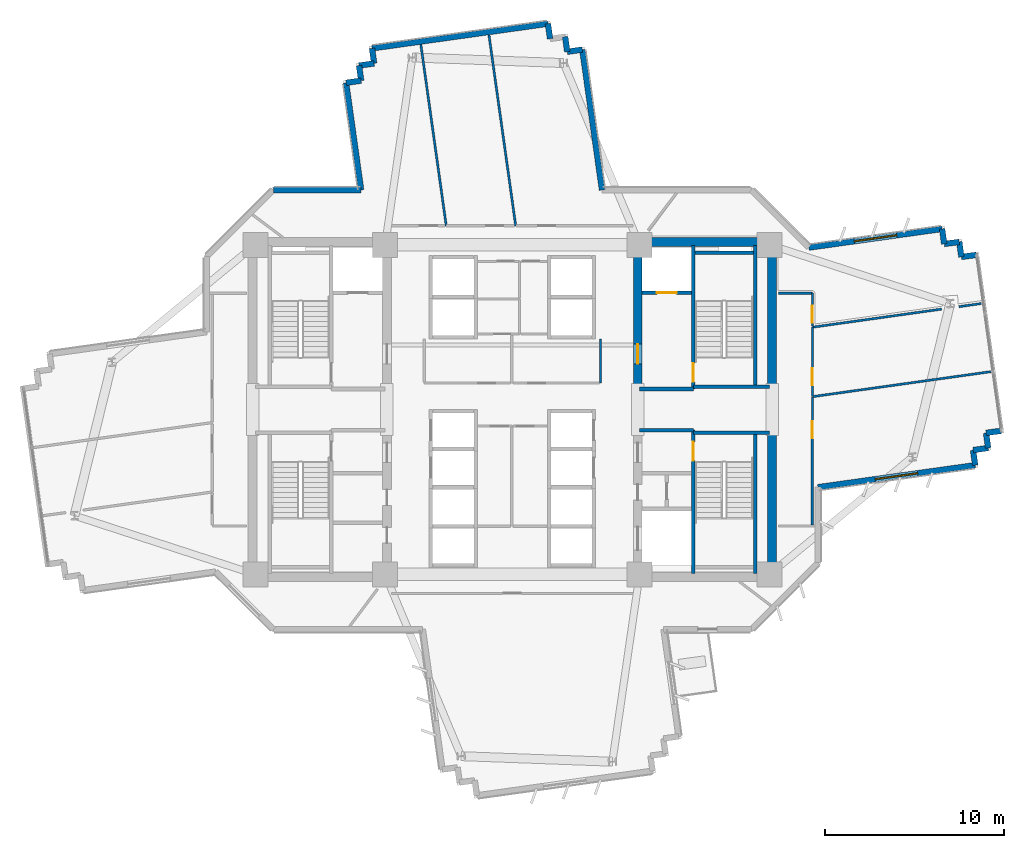
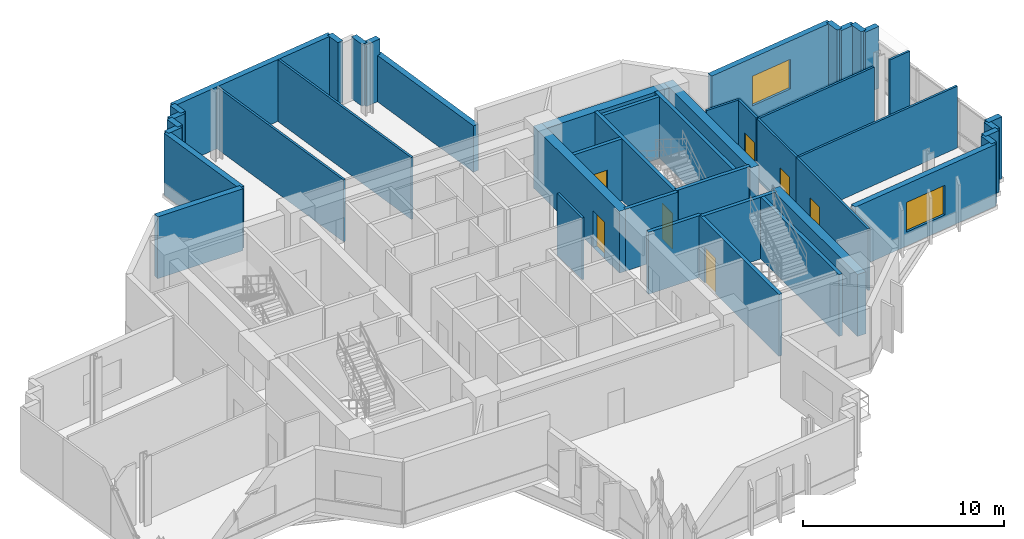
# One storey, part 9 of 14: 45 walls, 7 doors, 2 windows, 9 openings.
"""IFC4 building model written with IfcOpenShell, lengths in metres."""

from ifc_helpers import new_model, si_unit, direction, frame, frame_2d, origin, place, context, subcontext, project, spatial, rectangle, extrude, source, transform, mapped, material, layer, layer_set, type_object, element, fill, save


model = new_model("IFC4")

# Units and contexts
model_context = context("Model", 3, precision=1e-05, world=origin(), true_north=direction((0.0, 1.0)))
body_context = subcontext(model_context, "Body", "Model", "MODEL_VIEW")
ifc_project = project(units=[si_unit("LENGTHUNIT", "METRE"), si_unit("AREAUNIT", "SQUARE_METRE"), si_unit("VOLUMEUNIT", "CUBIC_METRE"), si_unit("PLANEANGLEUNIT", "RADIAN"), si_unit("MASSUNIT", "GRAM", prefix="KILO")], contexts=[model_context])

# Site, building, storey
site_placement = place(None, origin())
site = spatial("IfcSite", under=ifc_project, at=site_placement, CompositionType="ELEMENT")
building_placement = place(site_placement, origin())
building = spatial("IfcBuilding", under=site, at=building_placement, Name="Zahravan Cultural Tower", CompositionType="ELEMENT")
storey_placement = place(building_placement, frame((0.0, 0.0, 121.5)))
storey = spatial("IfcBuildingStorey", under=building, at=storey_placement, Name="L27", CompositionType="ELEMENT", Elevation=121.5)

# Wall, opening, door
ifc_material_1 = material(Name="Concrete C60/75", Category="concrete")
ifc_layer_1 = layer(ifc_material_1, 0.5)
ifc_layer_set_1 = layer_set([ifc_layer_1], Name="Concrete C60/75")
wall_type_1 = type_object("IfcWallType", Name="CW-SHEAR-500-C60", PredefinedType="SHEAR", material=ifc_layer_set_1)
wall_1_placement = place(storey_placement, frame((43.0, 28.050048828125, 0.0), z_axis=(0.0, 0.0, 1.0), x_axis=(0.0, 1.0, 0.0)))
wall_1 = element("IfcWall", 1, at=wall_1_placement, inside=storey, type_object=wall_type_1, Name="L27 Core Shear Wall CW-E-WN-L27", PredefinedType="SHEAR", context=body_context, shape_type="SweptSolid", body=[
    extrude(rectangle(XDim=8.550048828125, YDim=0.5, at=frame_2d((4.27490234375, 0.0))), origin(), (0.0, 0.0, 1.0), 3.75),
])
opening_1_placement = place(wall_1_placement, frame((1.5, 0.0, 0.0)))
opening_1 = element("IfcOpeningElement", 2, at=opening_1_placement, cuts=wall_1, Name="Opening D-L27-06", PredefinedType="OPENING", context=body_context, shape_type="SweptSolid", body=[
    extrude(rectangle(XDim=1.10009765625, YDim=2.199951171875, at=frame_2d((0.550048828125, 1.10009765625))), frame((0.0, 0.260009765625, 0.0), z_axis=(0.0, -1.0, 0.0), x_axis=(1.0, 0.0, 0.0)), (0.0, 0.0, 1.0), 0.52001953125),
])
ifc_material_2 = material(Name="Steel ASTM A572 Grade 50", Category="steel")
door_type_1 = type_object("IfcDoorType", Name="DR-LOBBY-1100", OperationType="NOTDEFINED", PredefinedType="DOOR", material=ifc_material_2)
shared_shape_1 = source(origin(), body_context, "Body", "SweptSolid", [
    extrude(rectangle(XDim=1.10009765625, YDim=2.199951171875, at=frame_2d((0.550048828125, 1.10009765625))), frame((0.0, 0.02490234375, 0.0), z_axis=(0.0, -1.0, 0.0), x_axis=(1.0, 0.0, 0.0)), (0.0, 0.0, 1.0), 0.050048828125),
])
door_1_placement = place(opening_1_placement, origin())
door_1 = element("IfcDoor", 3, at=door_1_placement, inside=storey, type_object=door_type_1, Name="L27 Door D-L27-06", OperationType="SINGLE_SWING_RIGHT", OverallHeight=2.199951171875, OverallWidth=1.10009765625, PredefinedType="DOOR", context=body_context, shape_type="MappedRepresentation", body=[
    mapped(shared_shape_1, transform((0.0, 0.0, 0.0), x_axis=(1.0, 0.0, 0.0), y_axis=(0.0, 1.0, 0.0), z_axis=(0.0, 0.0, 1.0), scale=1.0)),
])
fill(opening_1, door_1)

# Wall, opening, window
ifc_material_3 = material(Name="Precast concrete C40/50", Category="concrete")
ifc_layer_2 = layer(ifc_material_3, 0.320068359375)
ifc_layer_set_2 = layer_set([ifc_layer_2], Name="Precast concrete C40/50")
wall_type_2 = type_object("IfcWallType", Name="EW-TC-320", PredefinedType="SOLIDWALL", material=ifc_layer_set_2)
wall_2_placement = place(storey_placement, frame((52.555908203125, 36.046142578125, 0.0), z_axis=(0.0, 0.0, 1.0), x_axis=(0.990319321248, 0.138807931917, 0.0)))
wall_2 = element("IfcWall", 4, at=wall_2_placement, inside=storey, type_object=wall_type_2, Name="L27 Exterior Masonry Frame Wall 01", PredefinedType="SOLIDWALL", context=body_context, shape_type="SweptSolid", body=[
    extrude(rectangle(XDim=7.508544921875, YDim=0.320068359375, at=frame_2d((3.75439453125, 0.0))), origin(), (0.0, 0.0, 1.0), 3.75),
])
opening_2_placement = place(wall_2_placement, frame((2.553955078125, 0.0, 0.85009765625)))
opening_2 = element("IfcOpeningElement", 5, at=opening_2_placement, cuts=wall_2, Name="Opening WN-01", PredefinedType="OPENING", context=body_context, shape_type="SweptSolid", body=[
    extrude(rectangle(XDim=2.39990234375, YDim=1.800048828125, at=frame_2d((1.199951171875, 0.89990234375))), frame((0.0, 0.169921875, 0.0), z_axis=(0.0, -1.0, 0.0), x_axis=(1.0, 0.0, 0.0)), (0.0, 0.0, 1.0), 0.340087890625),
])
ifc_material_4 = material(Name="Low-E solar-control double glazing", Category="glass")
window_type = type_object("IfcWindowType", Name="WN-REC-2400X1800", PartitioningType="DOUBLE_PANEL_VERTICAL", PredefinedType="WINDOW", material=ifc_material_4)
shared_shape_2 = source(origin(), body_context, "Body", "SweptSolid", [
    extrude(rectangle(XDim=2.39990234375, YDim=1.800048828125, at=frame_2d((1.199951171875, 0.89990234375))), frame((0.0, 0.030029296875, 0.0), z_axis=(0.0, -1.0, 0.0), x_axis=(1.0, 0.0, 0.0)), (0.0, 0.0, 1.0), 0.06005859375),
])
window_1_placement = place(opening_2_placement, origin())
window_1 = element("IfcWindow", 6, at=window_1_placement, inside=storey, type_object=window_type, Name="L27 Recessed Solar Window 01", OverallHeight=1.800048828125, OverallWidth=2.39990234375, PartitioningType="DOUBLE_PANEL_VERTICAL", PredefinedType="WINDOW", context=body_context, shape_type="MappedRepresentation", body=[
    mapped(shared_shape_2, transform((0.0, 0.0, 0.0), x_axis=(1.0, 0.0, 0.0), y_axis=(0.0, 1.0, 0.0), z_axis=(0.0, 0.0, 1.0), scale=1.0)),
])
fill(opening_2, window_1)

wall_3_placement = place(storey_placement, frame((61.8408203125, 23.8974609375, 0.0), z_axis=(0.0, 0.0, 1.0), x_axis=(-0.990316171862, -0.138830399225, 0.0)))
wall_3 = element("IfcWall", 7, at=wall_3_placement, inside=storey, type_object=wall_type_2, Name="L27 Exterior Masonry Frame Wall 10", PredefinedType="SOLIDWALL", context=body_context, shape_type="SweptSolid", body=[
    extrude(rectangle(XDim=8.86669921875, YDim=0.320068359375, at=frame_2d((4.433349609375, 0.0))), origin(), (0.0, 0.0, 1.0), 3.75),
])
opening_3_placement = place(wall_3_placement, frame((3.23291015625, 0.0, 0.85009765625)))
opening_3 = element("IfcOpeningElement", 8, at=opening_3_placement, cuts=wall_3, Name="Opening WN-01", PredefinedType="OPENING", context=body_context, shape_type="SweptSolid", body=[
    extrude(rectangle(XDim=2.39990234375, YDim=1.800048828125, at=frame_2d((1.199951171875, 0.89990234375))), frame((0.0, 0.169921875, 0.0), z_axis=(0.0, -1.0, 0.0), x_axis=(1.0, 0.0, 0.0)), (0.0, 0.0, 1.0), 0.340087890625),
])
window_2_placement = place(opening_3_placement, origin())
window_2 = element("IfcWindow", 9, at=window_2_placement, inside=storey, type_object=window_type, Name="L27 Recessed Solar Window 02", OverallHeight=1.800048828125, OverallWidth=2.39990234375, PartitioningType="DOUBLE_PANEL_VERTICAL", PredefinedType="WINDOW", context=body_context, shape_type="MappedRepresentation", body=[
    mapped(shared_shape_2, transform((0.0, 0.0, 0.0), x_axis=(1.0, 0.0, 0.0), y_axis=(0.0, 1.0, 0.0), z_axis=(0.0, 0.0, 1.0), scale=1.0)),
])
fill(opening_3, window_2)

# Wall, opening, door
ifc_material_5 = material(Name="Gypsum plasterboard partition")
ifc_layer_3 = layer(ifc_material_5, 0.125)
ifc_layer_set_3 = layer_set([ifc_layer_3], Name="Gypsum plasterboard partition")
wall_type_3 = type_object("IfcWallType", Name="W-PART-125", PredefinedType="PARTITIONING", material=ifc_layer_set_3)
wall_4_placement = place(storey_placement, frame((52.75, 27.722412109375, 0.0), z_axis=(0.0, 0.0, 1.0), x_axis=(0.0, 1.0, 0.0)))
wall_4 = element("IfcWall", 10, at=wall_4_placement, inside=storey, type_object=wall_type_3, Name="L27 Interior Wall 085", PredefinedType="PARTITIONING", context=body_context, shape_type="SweptSolid", body=[
    extrude(rectangle(XDim=3.87744140625, YDim=0.125, at=frame_2d((1.938720703125, 0.0))), origin(), (0.0, 0.0, 1.0), 3.75),
])
opening_4_placement = place(wall_4_placement, frame((0.64404296875, 0.0, 0.0)))
opening_4 = element("IfcOpeningElement", 11, at=opening_4_placement, cuts=wall_4, Name="Opening D-L27-20", PredefinedType="OPENING", context=body_context, shape_type="SweptSolid", body=[
    extrude(rectangle(XDim=0.949951171875, YDim=2.14990234375, at=frame_2d((0.47509765625, 1.074951171875))), frame((0.0, 0.072509765625, 0.0), z_axis=(0.0, -1.0, 0.0), x_axis=(1.0, 0.0, 0.0)), (0.0, 0.0, 1.0), 0.14501953125),
])
ifc_material_6 = material(Name="Anodised bronze-aluminium mullion", Category="aluminium")
door_type_2 = type_object("IfcDoorType", Name="DR-ROOM-950", OperationType="NOTDEFINED", PredefinedType="DOOR", material=ifc_material_6)
shared_shape_3 = source(origin(), body_context, "Body", "SweptSolid", [
    extrude(rectangle(XDim=0.949951171875, YDim=2.14990234375, at=frame_2d((0.47509765625, 1.074951171875))), frame((0.0, 0.02490234375, 0.0), z_axis=(0.0, -1.0, 0.0), x_axis=(1.0, 0.0, 0.0)), (0.0, 0.0, 1.0), 0.050048828125),
])
door_2_placement = place(opening_4_placement, origin())
door_2 = element("IfcDoor", 12, at=door_2_placement, inside=storey, type_object=door_type_2, Name="L27 Door D-L27-20", OperationType="SINGLE_SWING_RIGHT", OverallHeight=2.14990234375, OverallWidth=0.949951171875, PredefinedType="DOOR", context=body_context, shape_type="MappedRepresentation", body=[
    mapped(shared_shape_3, transform((0.0, 0.0, 0.0), x_axis=(1.0, 0.0, 0.0), y_axis=(0.0, 1.0, 0.0), z_axis=(0.0, 0.0, 1.0), scale=1.0)),
])
fill(opening_4, door_2)

wall_5_placement = place(storey_placement, frame((52.7451171875, 20.568603515625, 0.0), z_axis=(0.0, 0.0, 1.0), x_axis=(0.000684485962, 0.999999765739, 0.0)))
wall_5 = element("IfcWall", 13, at=wall_5_placement, inside=storey, type_object=wall_type_3, Name="L27 Interior Wall 103", PredefinedType="PARTITIONING", context=body_context, shape_type="SweptSolid", body=[
    extrude(rectangle(XDim=7.133544921875, YDim=0.125, at=frame_2d((3.56689453125, 0.0))), origin(), (0.0, 0.0, 1.0), 3.75),
])
opening_5_placement = place(wall_5_placement, frame((4.822998046875, 0.0, 0.0)))
opening_5 = element("IfcOpeningElement", 14, at=opening_5_placement, cuts=wall_5, Name="Opening D-L27-19", PredefinedType="OPENING", context=body_context, shape_type="SweptSolid", body=[
    extrude(rectangle(XDim=0.949951171875, YDim=2.14990234375, at=frame_2d((0.47509765625, 1.074951171875))), frame((0.0, 0.072509765625, 0.0), z_axis=(0.0, -1.0, 0.0), x_axis=(1.0, 0.0, 0.0)), (0.0, 0.0, 1.0), 0.14501953125),
])
door_3_placement = place(opening_5_placement, origin())
door_3 = element("IfcDoor", 15, at=door_3_placement, inside=storey, type_object=door_type_2, Name="L27 Door D-L27-19", OperationType="SINGLE_SWING_LEFT", OverallHeight=2.14990234375, OverallWidth=0.949951171875, PredefinedType="DOOR", context=body_context, shape_type="MappedRepresentation", body=[
    mapped(shared_shape_3, transform((0.0, 0.0, 0.0), x_axis=(1.0, 0.0, 0.0), y_axis=(0.0, 1.0, 0.0), z_axis=(0.0, 0.0, 1.0), scale=1.0)),
])
fill(opening_5, door_3)

wall_6_placement = place(storey_placement, frame((52.75, 31.66796875, 0.0), z_axis=(0.0, 0.0, 1.0), x_axis=(-0.000533333257, 0.999999857778, 0.0)))
wall_6 = element("IfcWall", 16, at=wall_6_placement, inside=storey, type_object=wall_type_3, Name="L27 Interior Wall 107", PredefinedType="PARTITIONING", context=body_context, shape_type="SweptSolid", body=[
    extrude(rectangle(XDim=1.8310546875, YDim=0.125, at=frame_2d((0.91552734375, 0.0))), origin(), (0.0, 0.0, 1.0), 3.75),
])
opening_6_placement = place(wall_6_placement, frame((0.19384765625, 0.0, 0.0)))
opening_6 = element("IfcOpeningElement", 17, at=opening_6_placement, cuts=wall_6, Name="Opening D-L27-21", PredefinedType="OPENING", context=body_context, shape_type="SweptSolid", body=[
    extrude(rectangle(XDim=0.949951171875, YDim=2.14990234375, at=frame_2d((0.47509765625, 1.074951171875))), frame((0.0, 0.072509765625, 0.0), z_axis=(0.0, -1.0, 0.0), x_axis=(1.0, 0.0, 0.0)), (0.0, 0.0, 1.0), 0.14501953125),
])
door_4_placement = place(opening_6_placement, origin())
door_4 = element("IfcDoor", 18, at=door_4_placement, inside=storey, type_object=door_type_2, Name="L27 Door D-L27-21", OperationType="SINGLE_SWING_LEFT", OverallHeight=2.14990234375, OverallWidth=0.949951171875, PredefinedType="DOOR", context=body_context, shape_type="MappedRepresentation", body=[
    mapped(shared_shape_3, transform((0.0, 0.0, 0.0), x_axis=(1.0, 0.0, 0.0), y_axis=(0.0, 1.0, 0.0), z_axis=(0.0, 0.0, 1.0), scale=1.0)),
])
fill(opening_6, door_4)

ifc_material_7 = material(Name="Concrete C45/55", Category="concrete")
ifc_layer_4 = layer(ifc_material_7, 0.199951171875)
ifc_layer_set_4 = layer_set([ifc_layer_4], Name="Concrete C45/55")
wall_type_4 = type_object("IfcWallType", Name="W-SHAFT-200", PredefinedType="SOLIDWALL", material=ifc_layer_set_4)
wall_7_placement = place(storey_placement, frame((46.10009765625, 17.85009765625, 0.0), z_axis=(0.0, 0.0, 1.0), x_axis=(0.0, 1.0, 0.0)))
wall_7 = element("IfcWall", 19, at=wall_7_placement, inside=storey, type_object=wall_type_4, Name="L27 Interior Wall 007", PredefinedType="SOLIDWALL", context=body_context, shape_type="SweptSolid", body=[
    extrude(rectangle(XDim=8.0, YDim=0.199951171875, at=frame_2d((4.0, 0.0))), origin(), (0.0, 0.0, 1.0), 3.75),
])
opening_7_placement = place(wall_7_placement, frame((6.300048828125, 0.0, 0.0)))
opening_7 = element("IfcOpeningElement", 20, at=opening_7_placement, cuts=wall_7, Name="Opening D-L27-03", PredefinedType="OPENING", context=body_context, shape_type="SweptSolid", body=[
    extrude(rectangle(XDim=1.050048828125, YDim=2.14990234375, at=frame_2d((0.52490234375, 1.074951171875))), frame((0.0, 0.10986328125, 0.0), z_axis=(0.0, -1.0, 0.0), x_axis=(1.0, 0.0, 0.0)), (0.0, 0.0, 1.0), 0.219970703125),
])
door_type_3 = type_object("IfcDoorType", Name="DR-STAIR-1050", OperationType="NOTDEFINED", PredefinedType="DOOR", material=ifc_material_2)
shared_shape_4 = source(origin(), body_context, "Body", "SweptSolid", [
    extrude(rectangle(XDim=1.050048828125, YDim=2.14990234375, at=frame_2d((0.52490234375, 1.074951171875))), frame((0.0, 0.02490234375, 0.0), z_axis=(0.0, -1.0, 0.0), x_axis=(1.0, 0.0, 0.0)), (0.0, 0.0, 1.0), 0.050048828125),
])
door_5_placement = place(opening_7_placement, origin())
door_5 = element("IfcDoor", 21, at=door_5_placement, inside=storey, type_object=door_type_3, Name="L27 Door D-L27-03", OperationType="SINGLE_SWING_LEFT", OverallHeight=2.14990234375, OverallWidth=1.050048828125, PredefinedType="DOOR", context=body_context, shape_type="MappedRepresentation", body=[
    mapped(shared_shape_4, transform((0.0, 0.0, 0.0), x_axis=(1.0, 0.0, 0.0), y_axis=(0.0, 1.0, 0.0), z_axis=(0.0, 0.0, 1.0), scale=1.0)),
])
fill(opening_7, door_5)

wall_8_placement = place(storey_placement, frame((46.10009765625, 28.14990234375, 0.0), z_axis=(0.0, 0.0, 1.0), x_axis=(0.0, 1.0, 0.0)))
wall_8 = element("IfcWall", 22, at=wall_8_placement, inside=storey, type_object=wall_type_4, Name="L27 Interior Wall 008", PredefinedType="SOLIDWALL", context=body_context, shape_type="SweptSolid", body=[
    extrude(rectangle(XDim=8.0, YDim=0.199951171875, at=frame_2d((4.0, 0.0))), origin(), (0.0, 0.0, 1.0), 3.75),
])
opening_8_placement = place(wall_8_placement, frame((0.39990234375, 0.0, 0.0)))
opening_8 = element("IfcOpeningElement", 23, at=opening_8_placement, cuts=wall_8, Name="Opening D-L27-02", PredefinedType="OPENING", context=body_context, shape_type="SweptSolid", body=[
    extrude(rectangle(XDim=1.050048828125, YDim=2.14990234375, at=frame_2d((0.52490234375, 1.074951171875))), frame((0.0, 0.10986328125, 0.0), z_axis=(0.0, -1.0, 0.0), x_axis=(1.0, 0.0, 0.0)), (0.0, 0.0, 1.0), 0.219970703125),
])
door_6_placement = place(opening_8_placement, origin())
door_6 = element("IfcDoor", 24, at=door_6_placement, inside=storey, type_object=door_type_3, Name="L27 Door D-L27-02", OperationType="SINGLE_SWING_RIGHT", OverallHeight=2.14990234375, OverallWidth=1.050048828125, PredefinedType="DOOR", context=body_context, shape_type="MappedRepresentation", body=[
    mapped(shared_shape_4, transform((0.0, 0.0, 0.0), x_axis=(1.0, 0.0, 0.0), y_axis=(0.0, 1.0, 0.0), z_axis=(0.0, 0.0, 1.0), scale=1.0)),
])
fill(opening_8, door_6)

wall_9_placement = place(storey_placement, frame((43.25, 33.52001953125, 0.0), z_axis=(0.0, 0.0, 1.0), x_axis=(1.0, 0.0, 0.0)))
wall_9 = element("IfcWall", 25, at=wall_9_placement, inside=storey, type_object=wall_type_4, Name="L27 Interior Wall 022", PredefinedType="SOLIDWALL", context=body_context, shape_type="SweptSolid", body=[
    extrude(rectangle(XDim=2.75, YDim=0.199951171875, at=frame_2d((1.375, 0.0))), origin(), (0.0, 0.0, 1.0), 3.75),
])
opening_9_placement = place(wall_9_placement, frame((0.820068359375, 0.0, 0.0)))
opening_9 = element("IfcOpeningElement", 26, at=opening_9_placement, cuts=wall_9, Name="Opening LD-L27-02", PredefinedType="OPENING", context=body_context, shape_type="SweptSolid", body=[
    extrude(rectangle(XDim=1.10009765625, YDim=2.14990234375, at=frame_2d((0.550048828125, 1.074951171875))), frame((0.0, 0.10986328125, 0.0), z_axis=(0.0, -1.0, 0.0), x_axis=(1.0, 0.0, 0.0)), (0.0, 0.0, 1.0), 0.219970703125),
])
door_type_4 = type_object("IfcDoorType", Name="DR-LIFT-1100", OperationType="DOUBLE_DOOR_SLIDING", PredefinedType="DOOR", material=ifc_material_2)
shared_shape_5 = source(origin(), body_context, "Body", "SweptSolid", [
    extrude(rectangle(XDim=1.10009765625, YDim=2.14990234375, at=frame_2d((0.550048828125, 1.074951171875))), frame((0.0, 0.02490234375, 0.0), z_axis=(0.0, -1.0, 0.0), x_axis=(1.0, 0.0, 0.0)), (0.0, 0.0, 1.0), 0.050048828125),
])
door_7_placement = place(opening_9_placement, origin())
door_7 = element("IfcDoor", 27, at=door_7_placement, inside=storey, type_object=door_type_4, Name="L27 Door LD-L27-02", OperationType="DOUBLE_DOOR_SLIDING", OverallHeight=2.14990234375, OverallWidth=1.10009765625, PredefinedType="DOOR", context=body_context, shape_type="MappedRepresentation", body=[
    mapped(shared_shape_5, transform((0.0, 0.0, 0.0), x_axis=(1.0, 0.0, 0.0), y_axis=(0.0, 1.0, 0.0), z_axis=(0.0, 0.0, 1.0), scale=1.0)),
])
fill(opening_9, door_7)

# Walls
shared_shape_6 = source(origin(), body_context, "Body", "SweptSolid", [
    extrude(rectangle(XDim=8.550048828125, YDim=0.5, at=frame_2d((4.27490234375, 0.0))), origin(), (0.0, 0.0, 1.0), 3.75),
])
for number, where, z_axis, x_axis, name in (
    (28, (50.5, 17.39990234375, 0.0), (0.0, 0.0, 1.0), (0.0, 1.0, 0.0), "L27 Core Shear Wall CW-E-ES-L27"),
    (29, (50.5, 28.050048828125, 0.0), (0.0, 0.0, 1.0), (0.0, 1.0, 0.0), "L27 Core Shear Wall CW-E-EN-L27"),
):
    element("IfcWall", number, at=place(storey_placement, frame(where, z_axis=z_axis, x_axis=x_axis)), inside=storey, type_object=wall_type_1, Name=name, PredefinedType="SHEAR", context=body_context, shape_type="MappedRepresentation", body=[
        mapped(shared_shape_6, transform((0.0, 0.0, 0.0), x_axis=(1.0, 0.0, 0.0), y_axis=(0.0, 1.0, 0.0), z_axis=(0.0, 0.0, 1.0), scale=1.0)),
    ])
shared_shape_7 = source(origin(), body_context, "Body", "SweptSolid", [
    extrude(rectangle(XDim=7.0, YDim=0.5, at=frame_2d((3.5, 0.0))), origin(), (0.0, 0.0, 1.0), 3.75),
])
wall_10_placement = place(storey_placement, frame((43.25, 36.35009765625, 0.0), z_axis=(0.0, 0.0, 1.0), x_axis=(1.0, 0.0, 0.0)))
element("IfcWall", 30, at=wall_10_placement, inside=storey, type_object=wall_type_1, Name="L27 Core Shear Wall CW-E-N-L27", PredefinedType="SHEAR", context=body_context, shape_type="MappedRepresentation", body=[
    mapped(shared_shape_7, transform((0.0, 0.0, 0.0), x_axis=(1.0, 0.0, 0.0), y_axis=(0.0, 1.0, 0.0), z_axis=(0.0, 0.0, 1.0), scale=1.0)),
])
shared_shape_8 = source(origin(), body_context, "Body", "SweptSolid", [
    extrude(rectangle(XDim=0.85009765625, YDim=0.320068359375, at=frame_2d((0.425048828125, 0.0))), origin(), (0.0, 0.0, 1.0), 3.75),
])
for number, where, z_axis, x_axis, name in (
    (31, (59.99169921875, 37.08837890625, 0.0), (0.0, 0.0, 1.0), (0.139008393902, -0.990291202841, 0.0), "L27 Exterior Masonry Frame Wall 02"),
    (32, (60.10986328125, 36.24658203125, 0.0), (0.0, 0.0, 1.0), (0.990330700987, 0.138726719425, 0.0), "L27 Exterior Masonry Frame Wall 03"),
    (33, (61.069580078125, 35.52294921875, 0.0), (0.0, 0.0, 1.0), (0.990330700987, 0.138726719425, 0.0), "L27 Exterior Masonry Frame Wall 05"),
    (34, (63.28857421875, 25.81689453125, 0.0), (0.0, 0.0, 1.0), (-0.990330700987, -0.138726719425, 0.0), "L27 Exterior Masonry Frame Wall 06"),
    (35, (62.44677734375, 25.698974609375, 0.0), (0.0, 0.0, 1.0), (0.138726719425, -0.990330700987, 0.0), "L27 Exterior Masonry Frame Wall 07"),
    (36, (62.564697265625, 24.857177734375, 0.0), (0.0, 0.0, 1.0), (-0.990330700987, -0.138726719425, 0.0), "L27 Exterior Masonry Frame Wall 08"),
    (37, (61.722900390625, 24.7392578125, 0.0), (0.0, 0.0, 1.0), (0.138726719425, -0.990330700987, 0.0), "L27 Exterior Masonry Frame Wall 09"),
    (38, (26.716796875, 45.247802734375, 0.0), (0.0, 0.0, 1.0), (0.990291202841, 0.139008393902, 0.0), "L27 Exterior Masonry Frame Wall 41"),
    (39, (27.55859375, 45.365966796875, 0.0), (0.0, 0.0, 1.0), (-0.138726719425, 0.990330700987, 0.0), "L27 Exterior Masonry Frame Wall 42"),
    (40, (28.2822265625, 46.32568359375, 0.0), (0.0, 0.0, 1.0), (-0.138726719425, 0.990330700987, 0.0), "L27 Exterior Masonry Frame Wall 44"),
    (41, (37.98828125, 48.544677734375, 0.0), (0.0, 0.0, 1.0), (0.138726719425, -0.990330700987, 0.0), "L27 Exterior Masonry Frame Wall 46"),
    (42, (38.947998046875, 47.82080078125, 0.0), (0.0, 0.0, 1.0), (0.138726719425, -0.990330700987, 0.0), "L27 Exterior Masonry Frame Wall 48"),
    (43, (39.06591796875, 46.97900390625, 0.0), (0.0, 0.0, 1.0), (0.990291202841, 0.139008393902, 0.0), "L27 Exterior Masonry Frame Wall 49"),
):
    element("IfcWall", number, at=place(storey_placement, frame(where, z_axis=z_axis, x_axis=x_axis)), inside=storey, type_object=wall_type_2, Name=name, PredefinedType="SOLIDWALL", context=body_context, shape_type="MappedRepresentation", body=[
        mapped(shared_shape_8, transform((0.0, 0.0, 0.0), x_axis=(1.0, 0.0, 0.0), y_axis=(0.0, 1.0, 0.0), z_axis=(0.0, 0.0, 1.0), scale=1.0)),
    ])
shared_shape_9 = source(origin(), body_context, "Body", "SweptSolid", [
    extrude(rectangle(XDim=0.849853515625, YDim=0.320068359375, at=frame_2d((0.4248046875, 0.0))), origin(), (0.0, 0.0, 1.0), 3.75),
])
for number, where, z_axis, x_axis, name in (
    (44, (60.95166015625, 36.364501953125, 0.0), (0.0, 0.0, 1.0), (0.138766190202, -0.990325171071, 0.0), "L27 Exterior Masonry Frame Wall 04"),
    (45, (27.440673828125, 46.207763671875, 0.0), (0.0, 0.0, 1.0), (0.990325171071, 0.138766190202, 0.0), "L27 Exterior Masonry Frame Wall 43"),
):
    element("IfcWall", number, at=place(storey_placement, frame(where, z_axis=z_axis, x_axis=x_axis)), inside=storey, type_object=wall_type_2, Name=name, PredefinedType="SOLIDWALL", context=body_context, shape_type="MappedRepresentation", body=[
        mapped(shared_shape_9, transform((0.0, 0.0, 0.0), x_axis=(1.0, 0.0, 0.0), y_axis=(0.0, 1.0, 0.0), z_axis=(0.0, 0.0, 1.0), scale=1.0)),
    ])
shared_shape_10 = source(origin(), body_context, "Body", "SweptSolid", [
    extrude(rectangle(XDim=4.898193359375, YDim=0.320068359375, at=frame_2d((2.44921875, 0.0))), origin(), (0.0, 0.0, 1.0), 3.75),
])
wall_11_placement = place(storey_placement, frame((22.657958984375, 39.260009765625, 0.0), z_axis=(0.0, 0.0, 1.0), x_axis=(1.0, 0.0, 0.0)))
element("IfcWall", 46, at=wall_11_placement, inside=storey, type_object=wall_type_2, Name="L27 Exterior Masonry Frame Wall 39", PredefinedType="SOLIDWALL", context=body_context, shape_type="MappedRepresentation", body=[
    mapped(shared_shape_10, transform((0.0, 0.0, 0.0), x_axis=(1.0, 0.0, 0.0), y_axis=(0.0, 1.0, 0.0), z_axis=(0.0, 0.0, 1.0), scale=1.0)),
])
shared_shape_11 = source(origin(), body_context, "Body", "SweptSolid", [
    extrude(rectangle(XDim=6.04638671875, YDim=0.320068359375, at=frame_2d((3.023193359375, 0.0))), origin(), (0.0, 0.0, 1.0), 3.75),
])
wall_12_placement = place(storey_placement, frame((27.55615234375, 39.260009765625, 0.0), z_axis=(0.0, 0.0, 1.0), x_axis=(-0.138820507469, 0.990317558517, 0.0)))
element("IfcWall", 47, at=wall_12_placement, inside=storey, type_object=wall_type_2, Name="L27 Exterior Masonry Frame Wall 40", PredefinedType="SOLIDWALL", context=body_context, shape_type="MappedRepresentation", body=[
    mapped(shared_shape_11, transform((0.0, 0.0, 0.0), x_axis=(1.0, 0.0, 0.0), y_axis=(0.0, 1.0, 0.0), z_axis=(0.0, 0.0, 1.0), scale=1.0)),
])
shared_shape_12 = source(origin(), body_context, "Body", "SweptSolid", [
    extrude(rectangle(XDim=9.919921875, YDim=0.320068359375, at=frame_2d((4.9599609375, 0.0))), origin(), (0.0, 0.0, 1.0), 3.75),
])
wall_13_placement = place(storey_placement, frame((28.164306640625, 47.16748046875, 0.0), z_axis=(0.0, 0.0, 1.0), x_axis=(0.990316250135, 0.138829840876, 0.0)))
element("IfcWall", 48, at=wall_13_placement, inside=storey, type_object=wall_type_2, Name="L27 Exterior Masonry Frame Wall 45", PredefinedType="SOLIDWALL", context=body_context, shape_type="MappedRepresentation", body=[
    mapped(shared_shape_12, transform((0.0, 0.0, 0.0), x_axis=(1.0, 0.0, 0.0), y_axis=(0.0, 1.0, 0.0), z_axis=(0.0, 0.0, 1.0), scale=1.0)),
])
shared_shape_13 = source(origin(), body_context, "Body", "SweptSolid", [
    extrude(rectangle(XDim=7.913818359375, YDim=0.320068359375, at=frame_2d((3.95703125, 0.0))), origin(), (0.0, 0.0, 1.0), 2.81005859375),
])
wall_14_placement = place(storey_placement, frame((39.90771484375, 47.09716796875, 0.0), z_axis=(0.0, 0.0, 1.0), x_axis=(0.138855403592, -0.990312666229, 0.0)))
element("IfcWall", 49, at=wall_14_placement, inside=storey, type_object=wall_type_2, Name="L27 Exterior Masonry Frame Wall 50", PredefinedType="SOLIDWALL", context=body_context, shape_type="MappedRepresentation", body=[
    mapped(shared_shape_13, transform((0.0, 0.0, 0.0), x_axis=(1.0, 0.0, 0.0), y_axis=(0.0, 1.0, 0.0), z_axis=(0.0, 0.0, 1.0), scale=1.0)),
])
shared_shape_14 = source(origin(), body_context, "Body", "SweptSolid", [
    extrude(rectangle(XDim=7.869873046875, YDim=0.199951171875, at=frame_2d((3.93505859375, 0.0))), origin(), (0.0, 0.0, 1.0), 3.75),
])
for number, where, z_axis, x_axis, name in (
    (50, (49.550048828125, 17.85009765625, 0.0), (0.0, 0.0, 1.0), (0.0, 1.0, 0.0), "L27 Interior Wall 003"),
    (51, (49.550048828125, 28.280029296875, 0.0), (0.0, 0.0, 1.0), (0.0, 1.0, 0.0), "L27 Interior Wall 004"),
):
    element("IfcWall", number, at=place(storey_placement, frame(where, z_axis=z_axis, x_axis=x_axis)), inside=storey, type_object=wall_type_4, Name=name, PredefinedType="SOLIDWALL", context=body_context, shape_type="MappedRepresentation", body=[
        mapped(shared_shape_14, transform((0.0, 0.0, 0.0), x_axis=(1.0, 0.0, 0.0), y_axis=(0.0, 1.0, 0.0), z_axis=(0.0, 0.0, 1.0), scale=1.0)),
    ])
shared_shape_15 = source(origin(), body_context, "Body", "SweptSolid", [
    extrude(rectangle(XDim=4.25, YDim=0.199951171875, at=frame_2d((2.125, 0.0))), origin(), (0.0, 0.0, 1.0), 3.75),
])
for number, where, z_axis, x_axis, name in (
    (52, (46.10009765625, 25.715087890625, 0.0), (0.0, 0.0, 1.0), (1.0, 0.0, 0.0), "L27 Interior Wall 014"),
    (53, (46.10009765625, 28.284912109375, 0.0), (0.0, 0.0, 1.0), (1.0, 0.0, 0.0), "L27 Interior Wall 016"),
):
    element("IfcWall", number, at=place(storey_placement, frame(where, z_axis=z_axis, x_axis=x_axis)), inside=storey, type_object=wall_type_4, Name=name, PredefinedType="SOLIDWALL", context=body_context, shape_type="MappedRepresentation", body=[
        mapped(shared_shape_15, transform((0.0, 0.0, 0.0), x_axis=(1.0, 0.0, 0.0), y_axis=(0.0, 1.0, 0.0), z_axis=(0.0, 0.0, 1.0), scale=1.0)),
    ])
shared_shape_16 = source(origin(), body_context, "Body", "SweptSolid", [
    extrude(rectangle(XDim=3.0, YDim=0.199951171875, at=frame_2d((1.5, 0.0))), origin(), (0.0, 0.0, 1.0), 3.75),
])
for number, where, z_axis, x_axis, name in (
    (54, (43.10009765625, 25.85009765625, 0.0), (0.0, 0.0, 1.0), (1.0, 0.0, 0.0), "L27 Interior Wall 013"),
    (55, (43.10009765625, 28.14990234375, 0.0), (0.0, 0.0, 1.0), (1.0, 0.0, 0.0), "L27 Interior Wall 015"),
):
    element("IfcWall", number, at=place(storey_placement, frame(where, z_axis=z_axis, x_axis=x_axis)), inside=storey, type_object=wall_type_4, Name=name, PredefinedType="SOLIDWALL", context=body_context, shape_type="MappedRepresentation", body=[
        mapped(shared_shape_16, transform((0.0, 0.0, 0.0), x_axis=(1.0, 0.0, 0.0), y_axis=(0.0, 1.0, 0.0), z_axis=(0.0, 0.0, 1.0), scale=1.0)),
    ])
shared_shape_17 = source(origin(), body_context, "Body", "SweptSolid", [
    extrude(rectangle(XDim=3.25, YDim=0.199951171875, at=frame_2d((1.625, 0.0))), origin(), (0.0, 0.0, 1.0), 3.75),
])
wall_15_placement = place(storey_placement, frame((46.199951171875, 35.75, 0.0), z_axis=(0.0, 0.0, 1.0), x_axis=(1.0, 0.0, 0.0)))
element("IfcWall", 56, at=wall_15_placement, inside=storey, type_object=wall_type_4, Name="L27 Interior Wall 018", PredefinedType="SOLIDWALL", context=body_context, shape_type="MappedRepresentation", body=[
    mapped(shared_shape_17, transform((0.0, 0.0, 0.0), x_axis=(1.0, 0.0, 0.0), y_axis=(0.0, 1.0, 0.0), z_axis=(0.0, 0.0, 1.0), scale=1.0)),
])
shared_shape_18 = source(origin(), body_context, "Body", "SweptSolid", [
    extrude(rectangle(XDim=2.469970703125, YDim=0.125, at=frame_2d((1.23486328125, 0.0))), origin(), (0.0, 0.0, 1.0), 3.75),
])
wall_16_placement = place(storey_placement, frame((40.919921875, 30.949951171875, 0.0), z_axis=(0.0, 0.0, 1.0), x_axis=(0.0, -1.0, 0.0)))
element("IfcWall", 57, at=wall_16_placement, inside=storey, type_object=wall_type_3, Name="L27 Interior Wall 083", PredefinedType="PARTITIONING", context=body_context, shape_type="MappedRepresentation", body=[
    mapped(shared_shape_18, transform((0.0, 0.0, 0.0), x_axis=(1.0, 0.0, 0.0), y_axis=(0.0, 1.0, 0.0), z_axis=(0.0, 0.0, 1.0), scale=1.0)),
])
shared_shape_19 = source(origin(), body_context, "Body", "SweptSolid", [
    extrude(rectangle(XDim=7.286865234375, YDim=0.125, at=frame_2d((3.6435546875, 0.0))), origin(), (0.0, 0.0, 1.0), 3.75),
])
wall_17_placement = place(storey_placement, frame((52.750244140625, 31.599853515625, 0.0), z_axis=(0.0, 0.0, 1.0), x_axis=(0.990314677425, 0.138841059045, 0.0)))
element("IfcWall", 58, at=wall_17_placement, inside=storey, type_object=wall_type_3, Name="L27 Interior Wall 086", PredefinedType="PARTITIONING", context=body_context, shape_type="MappedRepresentation", body=[
    mapped(shared_shape_19, transform((0.0, 0.0, 0.0), x_axis=(1.0, 0.0, 0.0), y_axis=(0.0, 1.0, 0.0), z_axis=(0.0, 0.0, 1.0), scale=1.0)),
])
shared_shape_20 = source(origin(), body_context, "Body", "SweptSolid", [
    extrude(rectangle(XDim=1.26220703125, YDim=0.125, at=frame_2d((0.631103515625, 0.0))), origin(), (0.0, 0.0, 1.0), 3.75),
])
wall_18_placement = place(storey_placement, frame((60.926513671875, 32.74609375, 0.0), z_axis=(0.0, 0.0, 1.0), x_axis=(0.990309850619, 0.138875482958, 0.0)))
element("IfcWall", 59, at=wall_18_placement, inside=storey, type_object=wall_type_3, Name="L27 Interior Wall 087", PredefinedType="PARTITIONING", context=body_context, shape_type="MappedRepresentation", body=[
    mapped(shared_shape_20, transform((0.0, 0.0, 0.0), x_axis=(1.0, 0.0, 0.0), y_axis=(0.0, 1.0, 0.0), z_axis=(0.0, 0.0, 1.0), scale=1.0)),
])
shared_shape_21 = source(origin(), body_context, "Body", "SweptSolid", [
    extrude(rectangle(XDim=9.98876953125, YDim=0.125, at=frame_2d((4.994384765625, 0.0))), origin(), (0.0, 0.0, 1.0), 3.75),
])
wall_19_placement = place(storey_placement, frame((62.70947265625, 29.118408203125, 0.0), z_axis=(0.0, 0.0, 1.0), x_axis=(-0.990319987422, -0.138803179046, 0.0)))
element("IfcWall", 60, at=wall_19_placement, inside=storey, type_object=wall_type_3, Name="L27 Interior Wall 088", PredefinedType="PARTITIONING", context=body_context, shape_type="MappedRepresentation", body=[
    mapped(shared_shape_21, transform((0.0, 0.0, 0.0), x_axis=(1.0, 0.0, 0.0), y_axis=(0.0, 1.0, 0.0), z_axis=(0.0, 0.0, 1.0), scale=1.0)),
])
shared_shape_22 = source(origin(), body_context, "Body", "SweptSolid", [
    extrude(rectangle(XDim=10.760498046875, YDim=0.125, at=frame_2d((5.38037109375, 0.0))), origin(), (0.0, 0.0, 1.0), 3.75),
])
wall_20_placement = place(storey_placement, frame((34.693603515625, 47.916259765625, 0.0), z_axis=(0.0, 0.0, 1.0), x_axis=(0.138832093167, -0.99031593439, 0.0)))
element("IfcWall", 61, at=wall_20_placement, inside=storey, type_object=wall_type_3, Name="L27 Interior Wall 094", PredefinedType="PARTITIONING", context=body_context, shape_type="MappedRepresentation", body=[
    mapped(shared_shape_22, transform((0.0, 0.0, 0.0), x_axis=(1.0, 0.0, 0.0), y_axis=(0.0, 1.0, 0.0), z_axis=(0.0, 0.0, 1.0), scale=1.0)),
])
shared_shape_23 = source(origin(), body_context, "Body", "SweptSolid", [
    extrude(rectangle(XDim=10.2216796875, YDim=0.125, at=frame_2d((5.11083984375, 0.0))), origin(), (0.0, 0.0, 1.0), 3.75),
])
wall_21_placement = place(storey_placement, frame((32.309814453125, 37.26025390625, 0.0), z_axis=(0.0, 0.0, 1.0), x_axis=(-0.138816035819, 0.990318185332, 0.0)))
element("IfcWall", 62, at=wall_21_placement, inside=storey, type_object=wall_type_3, Name="L27 Interior Wall 096", PredefinedType="PARTITIONING", context=body_context, shape_type="MappedRepresentation", body=[
    mapped(shared_shape_23, transform((0.0, 0.0, 0.0), x_axis=(1.0, 0.0, 0.0), y_axis=(0.0, 1.0, 0.0), z_axis=(0.0, 0.0, 1.0), scale=1.0)),
])
shared_shape_24 = source(origin(), body_context, "Body", "SweptSolid", [
    extrude(rectangle(XDim=1.891357421875, YDim=0.125, at=frame_2d((0.94580078125, 0.0))), origin(), (0.0, 0.0, 1.0), 3.75),
])
wall_22_placement = place(storey_placement, frame((52.7490234375, 33.4990234375, 0.0), z_axis=(0.0, 0.0, 1.0), x_axis=(-0.99999992502, 0.000387246647, 0.0)))
element("IfcWall", 63, at=wall_22_placement, inside=storey, type_object=wall_type_3, Name="L27 Interior Wall 108", PredefinedType="PARTITIONING", context=body_context, shape_type="MappedRepresentation", body=[
    mapped(shared_shape_24, transform((0.0, 0.0, 0.0), x_axis=(1.0, 0.0, 0.0), y_axis=(0.0, 1.0, 0.0), z_axis=(0.0, 0.0, 1.0), scale=1.0)),
])

save(model, "model.ifc")
